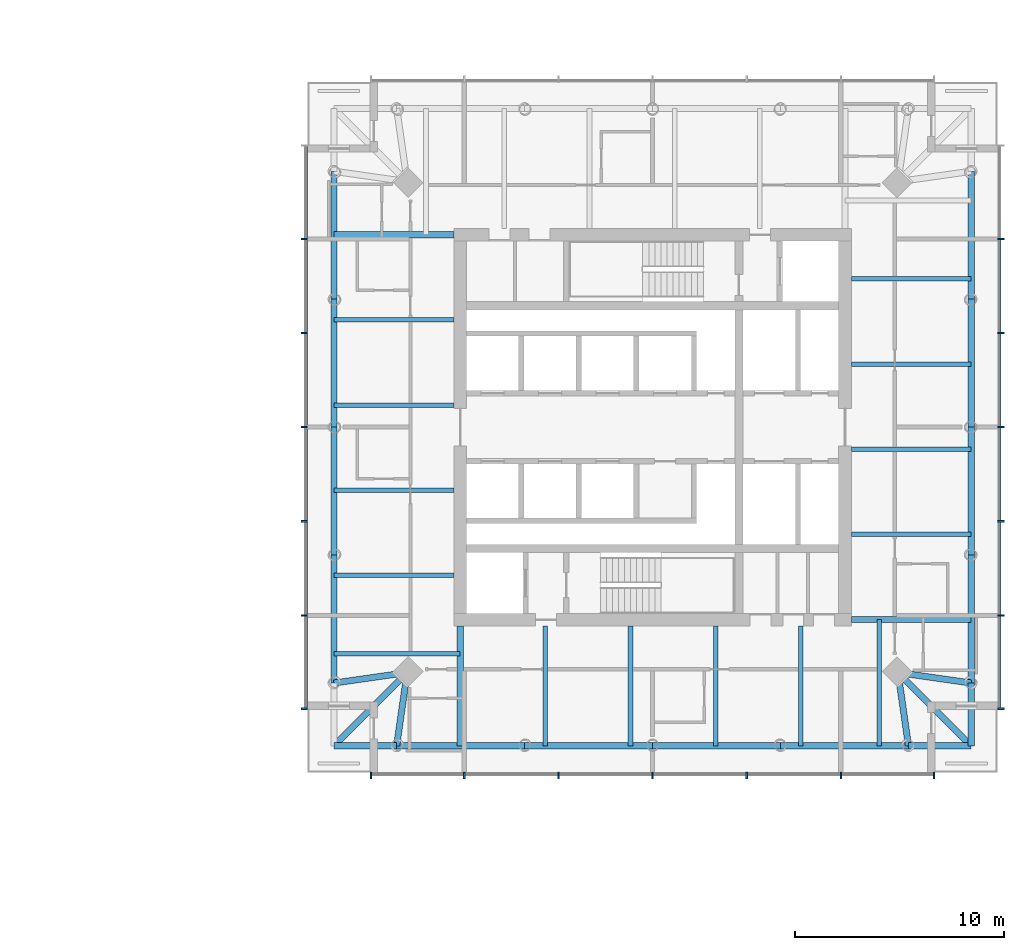
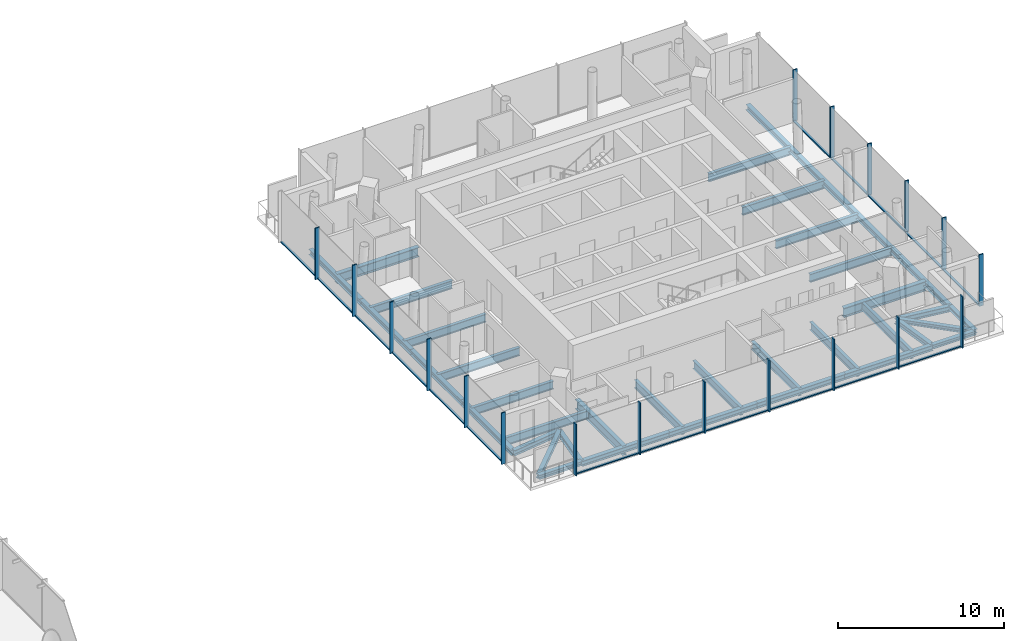
# One storey, part 5 of 20: 38 beams, 36 members, 3 elements without a shape of their own.
"""IFC4 building model written with IfcOpenShell, lengths in metres."""

import ifcopenshell
import ifcopenshell.guid

model = None  # the IFC model being written
_history = None  # IfcOwnerHistory: only IFC2X3 demands one
_inside = {}  # id of a spatial element -> (the spatial element, [elements in it])
_under = {}  # id of a project, library or spatial element -> (it, [spatial elements below it])
_declared = {}  # id of a project -> (the project, [libraries it declares])
_typed = {}  # id of a type object -> (the type object, [elements of that type])
_made_of = {}  # id of a material, layer set ... -> (it, [elements and type objects made of it])


def new_model(schema):
    """Start an empty IFC model of exactly this schema.

    Asked for "IFC4X3", IfcOpenShell would pick the latest addendum, in which some entities
    have other attributes; the version numbers below select the first issue.
    IFC2X3 requires an IfcOwnerHistory on every rooted entity: one is made here for all.
    """
    global model, _history
    if schema == "IFC4X3":
        model = ifcopenshell.file(schema_version=(4, 3, 0, 0))
    else:
        model = ifcopenshell.file(schema=schema)
    _inside.clear()
    _under.clear()
    _declared.clear()
    _typed.clear()
    _made_of.clear()
    _history = None
    if model.schema == "IFC2X3":
        org = make("IfcOrganization", Name="unknown")
        user = make(
            "IfcPersonAndOrganization",
            ThePerson=make("IfcPerson", FamilyName="unknown"),
            TheOrganization=org,
        )
        app = make(
            "IfcApplication",
            ApplicationDeveloper=org,
            Version="unknown",
            ApplicationFullName="unknown",
            ApplicationIdentifier="unknown",
        )
        _history = make(
            "IfcOwnerHistory",
            OwningUser=user,
            OwningApplication=app,
            ChangeAction="ADDED",
            CreationDate=0,
        )
    return model


def make(cls, **values):
    """One entity of the class cls with the attributes given. An attribute that is None is left unset."""
    return model.create_entity(
        cls, **{name: value for name, value in values.items() if value is not None}
    )


def rooted(cls, **values):
    """An entity with a GlobalId (a new one), such as an element, a storey or a relation."""
    return make(cls, GlobalId=ifcopenshell.guid.new(), OwnerHistory=_history, **values)


def si_unit(unit_type, name, prefix=None):
    """IfcSIUnit, for example si_unit("LENGTHUNIT", "METRE", prefix="MILLI")."""
    return make("IfcSIUnit", UnitType=unit_type, Prefix=prefix, Name=name)


def assignment(units):
    """IfcUnitAssignment: the units of a project."""
    return None if units is None else make("IfcUnitAssignment", Units=units)


def point(xyz):
    """IfcCartesianPoint."""
    return None if xyz is None else make("IfcCartesianPoint", Coordinates=xyz)


def direction(xyz):
    """IfcDirection."""
    return None if xyz is None else make("IfcDirection", DirectionRatios=xyz)


def frame(location, z_axis=None, x_axis=None):
    """IfcAxis2Placement3D, a coordinate frame: its origin and axes. An axis left out is left unset."""
    return make(
        "IfcAxis2Placement3D",
        Location=point(location),
        Axis=direction(z_axis),
        RefDirection=direction(x_axis),
    )


def frame_2d(location, x_axis=None):
    """IfcAxis2Placement2D, a coordinate frame in the plane: its origin and x axis."""
    return make(
        "IfcAxis2Placement2D", Location=point(location), RefDirection=direction(x_axis)
    )


def origin():
    """The frame at (0, 0, 0) with its axes left unset."""
    return frame((0.0, 0.0, 0.0))


def origin_2d():
    """The frame at (0, 0) in the plane with its x axis left unset."""
    return frame_2d((0.0, 0.0))


def place(relative_to, where):
    """IfcLocalPlacement: puts the frame where relative to a parent placement (None: the world)."""
    return make(
        "IfcLocalPlacement", PlacementRelTo=relative_to, RelativePlacement=where
    )


def context(
    kind, dimensions, precision=None, world=None, true_north=None, identifier=None
):
    """IfcGeometricRepresentationContext, for example the 3D "Model" context."""
    return make(
        "IfcGeometricRepresentationContext",
        ContextIdentifier=identifier,
        ContextType=kind,
        CoordinateSpaceDimension=dimensions,
        Precision=precision,
        WorldCoordinateSystem=world,
        TrueNorth=true_north,
    )


def subcontext(parent, identifier, kind, view, scale=None):
    """IfcGeometricRepresentationSubContext, for example "Body" below "Model"."""
    return make(
        "IfcGeometricRepresentationSubContext",
        ContextIdentifier=identifier,
        ContextType=kind,
        ParentContext=parent,
        TargetScale=scale,
        TargetView=view,
    )


def project(units=None, contexts=None):
    """IfcProject with its units and contexts."""
    return rooted(
        "IfcProject",
        Name="project",
        RepresentationContexts=contexts,
        UnitsInContext=assignment(units),
    )


def spatial(cls, under=None, at=None, **own):
    """A site, building, storey or space (cls), placed at a placement, below another one or the project."""
    s = rooted(cls, ObjectPlacement=at, **own)
    if under is not None:
        _under.setdefault(under.id(), (under, []))[1].append(s)
    return s


def profile(cls, at=None, kind="AREA", **sizes):
    """A parametric profile (cls). Its sizes go by their IFC names, for example OverallWidth=200.0."""
    return make(cls, ProfileType=kind, Position=at, **sizes)


def rectangle(**sizes):
    """IfcRectangleProfileDef."""
    return profile("IfcRectangleProfileDef", **sizes)


def i_section(**sizes):
    """IfcIShapeProfileDef."""
    return profile("IfcIShapeProfileDef", **sizes)


def extrude(swept, where, along, depth):
    """IfcExtrudedAreaSolid: the profile swept, set in the frame where, extruded along a direction by depth."""
    return make(
        "IfcExtrudedAreaSolid",
        SweptArea=swept,
        Position=where,
        ExtrudedDirection=direction(along),
        Depth=depth,
    )


def shape(context_of_items, identifier, shape_type, items):
    """IfcShapeRepresentation: the items that make up one representation, for example the "Body"."""
    return make(
        "IfcShapeRepresentation",
        ContextOfItems=context_of_items,
        RepresentationIdentifier=identifier,
        RepresentationType=shape_type,
        Items=items,
    )


def material(Name=None, Category=None):
    """IfcMaterial."""
    return make("IfcMaterial", Name=Name, Category=Category)


def material_profile(
    of_material, cross_section, Name=None, Category=None, Priority=None
):
    """IfcMaterialProfile: a cross section and its material."""
    return make(
        "IfcMaterialProfile",
        Name=Name,
        Material=of_material,
        Profile=cross_section,
        Priority=Priority,
        Category=Category,
    )


def profile_set(profiles, Name=None, composite=None):
    """IfcMaterialProfileSet."""
    return make(
        "IfcMaterialProfileSet",
        Name=Name,
        MaterialProfiles=profiles,
        CompositeProfile=composite,
    )


def made_of(thing, what):
    """Note that an element or type object is made of a material, layer set ...; save() writes the relation."""
    if what is not None:
        _made_of.setdefault(what.id(), (what, []))[1].append(thing)
    return thing


def type_object(cls, material=None, **own):
    """A type object (cls), such as IfcWallType, which elements share."""
    return made_of(rooted(cls, **own), material)


def element(
    cls,
    number,
    at=None,
    inside=None,
    cuts=None,
    type_object=None,
    material=None,
    context=None,
    identifier="Body",
    shape_type=None,
    held_by="IfcProductDefinitionShape",
    body=None,
    shapes=None,
    **own,
):
    """One element of the class cls, such as IfcWall. Its Tag is "e" and its number.

    at: its placement. inside: the storey or other place that contains it. cuts: it is an
    opening in that element (IfcRelVoidsElement). A single representation is given by context,
    identifier, shape_type and body (its items); several are given by shapes. held_by: the class
    of the entity that holds the representations. save() writes the other relations.
    """
    e = rooted(cls, Tag="e%d" % number, ObjectPlacement=at, **own)
    if body is not None:
        shapes = [shape(context, identifier, shape_type, body)]
    if shapes is not None:
        e.Representation = make(held_by, Representations=shapes)
    if inside is not None:
        _inside.setdefault(inside.id(), (inside, []))[1].append(e)
    if cuts is not None:
        rooted(
            "IfcRelVoidsElement", RelatingBuildingElement=cuts, RelatedOpeningElement=e
        )
    if type_object is not None:
        _typed.setdefault(type_object.id(), (type_object, []))[1].append(e)
    return made_of(e, material)


def aggregate(whole, parts):
    """IfcRelAggregates: a whole, such as a stair, and the parts it consists of."""
    return rooted("IfcRelAggregates", RelatingObject=whole, RelatedObjects=parts)


def save(model, path):
    """Write the relations noted so far, then the file.

    IfcRelAggregates (storeys below a building ...), IfcRelContainedInSpatialStructure (elements
    in a storey), IfcRelDefinesByType, IfcRelAssociatesMaterial and IfcRelDeclares: one each for
    every whole, place, type object, material and project.
    """
    for whole, parts in _under.values():
        aggregate(whole, parts)
    for where, things in _inside.values():
        rooted(
            "IfcRelContainedInSpatialStructure",
            RelatedElements=things,
            RelatingStructure=where,
        )
    for kind, things in _typed.values():
        rooted("IfcRelDefinesByType", RelatedObjects=things, RelatingType=kind)
    for what, things in _made_of.values():
        rooted("IfcRelAssociatesMaterial", RelatedObjects=things, RelatingMaterial=what)
    for by, libraries in _declared.values():
        rooted("IfcRelDeclares", RelatingContext=by, RelatedDefinitions=libraries)
    model.write(path)


model = new_model("IFC4")

# Units and contexts
model_context = context("Model", 3, precision=1e-05, world=origin(), true_north=direction((0.0, 1.0)))
body_context = subcontext(model_context, "Body", "Model", "MODEL_VIEW")
ifc_project = project(units=[si_unit("LENGTHUNIT", "METRE"), si_unit("AREAUNIT", "SQUARE_METRE"), si_unit("VOLUMEUNIT", "CUBIC_METRE"), si_unit("PLANEANGLEUNIT", "RADIAN"), si_unit("MASSUNIT", "GRAM", prefix="KILO")], contexts=[model_context])

# Site, building, storey
site_placement = place(None, origin())
site = spatial("IfcSite", under=ifc_project, at=site_placement, CompositionType="ELEMENT")
building_placement = place(site_placement, origin())
building = spatial("IfcBuilding", under=site, at=building_placement, Name="Ostroluk Exchange", CompositionType="ELEMENT")
storey_placement = place(building_placement, frame((0.0, 0.0, 108.39990234375)))
storey = spatial("IfcBuildingStorey", under=building, at=storey_placement, Name="L27", CompositionType="ELEMENT", Elevation=108.39990234375)

# Beams
ifc_material_1 = material(Name="Steel S355", Category="steel")
ifc_material_profile_1 = material_profile(ifc_material_1, i_section(OverallWidth=0.300048828125, OverallDepth=0.300048828125, WebThickness=0.010986328125, FlangeThickness=0.01904296875, FilletRadius=0.027099609375, at=origin_2d()), Name="HEB 300")
ifc_profile_set_1 = profile_set([ifc_material_profile_1], Name="Steel S355")
beam_type_1 = type_object("IfcBeamType", Name="Balcony beam HEB 300", PredefinedType="BEAM", material=ifc_profile_set_1)
beam_1_placement = place(storey_placement, frame((104.767333984375, 30.767333984375, -0.349853515625), z_axis=(-1.0, 0.0, 0.0), x_axis=(0.0, -1.0, 0.0)))
element("IfcBeam", 1, at=beam_1_placement, inside=storey, type_object=beam_type_1, Name="T2 west balcony beam b", PredefinedType="BEAM", context=body_context, shape_type="SweptSolid", body=[
    extrude(i_section(OverallWidth=0.300048828125, OverallDepth=0.300048828125, WebThickness=0.010986328125, FlangeThickness=0.01904296875, FilletRadius=0.027099609375, at=origin_2d()), origin(), (0.0, 0.0, 1.0), 3.0),
])
beam_2_placement = place(storey_placement, frame((105.267333984375, 34.267333984375, -0.349853515625), z_axis=(-0.707106781187, -0.707106781187, 0.0), x_axis=(0.707106781187, -0.707106781187, 0.0)))
element("IfcBeam", 2, at=beam_2_placement, inside=storey, type_object=beam_type_1, Name="T2 west balcony beam c", PredefinedType="BEAM", context=body_context, shape_type="SweptSolid", body=[
    extrude(i_section(OverallWidth=0.300048828125, OverallDepth=0.300048828125, WebThickness=0.010986328125, FlangeThickness=0.01904296875, FilletRadius=0.027099609375, at=origin_2d()), origin(), (0.0, 0.0, 1.0), 4.94970703125),
])
for number, where, z_axis, x_axis, name in (
    (3, (129.232666015625, 30.767333984375, -0.349853515625), (1.0, 0.0, 0.0), (0.0, 1.0, 0.0), "T2 south balcony beam a"),
    (4, (132.232666015625, 33.767333984375, -0.349853515625), (0.0, -1.0, 0.0), (1.0, 0.0, 0.0), "T2 south balcony beam b"),
):
    element("IfcBeam", number, at=place(storey_placement, frame(where, z_axis=z_axis, x_axis=x_axis)), inside=storey, type_object=beam_type_1, Name=name, PredefinedType="BEAM", context=body_context, shape_type="SweptSolid", body=[
        extrude(i_section(OverallWidth=0.300048828125, OverallDepth=0.300048828125, WebThickness=0.010986328125, FlangeThickness=0.01904296875, FilletRadius=0.027099609375, at=origin_2d()), origin(), (0.0, 0.0, 1.0), 3.0),
    ])
beam_3_placement = place(storey_placement, frame((128.732666015625, 34.267333984375, -0.349853515625), z_axis=(0.707106781187, -0.707106781187, 0.0), x_axis=(0.707106781187, 0.707106781187, 0.0)))
element("IfcBeam", 5, at=beam_3_placement, inside=storey, type_object=beam_type_1, Name="T2 south balcony beam c", PredefinedType="BEAM", context=body_context, shape_type="SweptSolid", body=[
    extrude(i_section(OverallWidth=0.300048828125, OverallDepth=0.300048828125, WebThickness=0.010986328125, FlangeThickness=0.01904296875, FilletRadius=0.027099609375, at=origin_2d()), origin(), (0.0, 0.0, 1.0), 4.94970703125),
])
ifc_material_2 = material(Name="Steel S355", Category="steel")
ifc_material_profile_2 = material_profile(ifc_material_2, i_section(OverallWidth=0.300048828125, OverallDepth=0.39990234375, WebThickness=0.013427734375, FlangeThickness=0.02392578125, FilletRadius=0.027099609375, at=origin_2d()), Name="HEB 400")
ifc_profile_set_2 = profile_set([ifc_material_profile_2], Name="Steel S355")
beam_type_2 = type_object("IfcBeamType", Name="Corner edge beam HEB 400", PredefinedType="SPANDREL", material=ifc_profile_set_2)
for number, where, z_axis, x_axis, name in (
    (6, (105.267333984375, 34.267333984375, -0.39990234375), (-0.989949493661, -0.141421356237, 0.0), (0.141421356237, -0.989949493661, 0.0), "T2 west corner edge beam a"),
    (7, (105.267333984375, 34.267333984375, -0.39990234375), (-0.141421356237, -0.989949493661, 0.0), (0.989949493661, -0.141421356237, 0.0), "T2 west corner edge beam b"),
    (8, (128.732666015625, 34.267333984375, -0.39990234375), (0.141421356237, -0.989949493661, 0.0), (0.989949493661, 0.141421356237, 0.0), "T2 south corner edge beam a"),
    (9, (128.732666015625, 34.267333984375, -0.39990234375), (0.989949493661, -0.141421356237, 0.0), (0.141421356237, 0.989949493661, 0.0), "T2 south corner edge beam b"),
):
    element("IfcBeam", number, at=place(storey_placement, frame(where, z_axis=z_axis, x_axis=x_axis)), inside=storey, type_object=beam_type_2, Name=name, PredefinedType="SPANDREL", context=body_context, shape_type="SweptSolid", body=[
        extrude(i_section(OverallWidth=0.300048828125, OverallDepth=0.39990234375, WebThickness=0.013427734375, FlangeThickness=0.02392578125, FilletRadius=0.027099609375, at=origin_2d()), origin(), (0.0, 0.0, 1.0), 3.53564453125),
    ])
ifc_material_3 = material(Name="Steel S355", Category="steel")
ifc_material_profile_3 = material_profile(ifc_material_3, i_section(OverallWidth=0.219970703125, OverallDepth=0.60009765625, WebThickness=0.011962890625, FlangeThickness=0.01904296875, FilletRadius=0.02392578125, at=origin_2d()), Name="IPE 600")
ifc_profile_set_3 = profile_set([ifc_material_profile_3], Name="Steel S355")
beam_type_3 = type_object("IfcBeamType", Name="Floor beam IPE 600", PredefinedType="BEAM", material=ifc_profile_set_3)
for number, where, z_axis, x_axis, name in (
    (10, (126.5, 40.8720703125, -0.5), (1.0, 0.0, 0.0), (0.0, 1.0, 0.0), "T2 east floor beam 1"),
    (11, (126.5, 44.9443359375, -0.5), (1.0, 0.0, 0.0), (0.0, 1.0, 0.0), "T2 east floor beam 2"),
    (12, (126.5, 49.016357421875, -0.5), (1.0, 0.0, 0.0), (0.0, 1.0, 0.0), "T2 east floor beam 3"),
    (13, (126.5, 53.088623046875, -0.5), (1.0, 0.0, 0.0), (0.0, 1.0, 0.0), "T2 east floor beam 4"),
    (14, (107.5, 51.1279296875, -0.5), (-1.0, 0.0, 0.0), (0.0, -1.0, 0.0), "T2 west floor beam 1"),
    (15, (107.5, 47.0556640625, -0.5), (-1.0, 0.0, 0.0), (0.0, -1.0, 0.0), "T2 west floor beam 2"),
    (16, (107.5, 42.983642578125, -0.5), (-1.0, 0.0, 0.0), (0.0, -1.0, 0.0), "T2 west floor beam 3"),
    (17, (107.5, 38.911376953125, -0.5), (-1.0, 0.0, 0.0), (0.0, -1.0, 0.0), "T2 west floor beam 4"),
):
    element("IfcBeam", number, at=place(storey_placement, frame(where, z_axis=z_axis, x_axis=x_axis)), inside=storey, type_object=beam_type_3, Name=name, PredefinedType="BEAM", context=body_context, shape_type="SweptSolid", body=[
        extrude(i_section(OverallWidth=0.219970703125, OverallDepth=0.60009765625, WebThickness=0.011962890625, FlangeThickness=0.01904296875, FilletRadius=0.02392578125, at=origin_2d()), origin(), (0.0, 0.0, 1.0), 5.732666015625),
    ])
beam_4_placement = place(storey_placement, frame((107.800048828125, 35.167236328125, -0.5), z_axis=(-1.0, 0.0, 0.0), x_axis=(0.0, -1.0, 0.0)))
element("IfcBeam", 18, at=beam_4_placement, inside=storey, type_object=beam_type_3, Name="T2 west floor beam 5", PredefinedType="BEAM", context=body_context, shape_type="SweptSolid", body=[
    extrude(i_section(OverallWidth=0.219970703125, OverallDepth=0.60009765625, WebThickness=0.011962890625, FlangeThickness=0.01904296875, FilletRadius=0.02392578125, at=origin_2d()), origin(), (0.0, 0.0, 1.0), 6.03271484375),
])
for number, where, z_axis, x_axis, name in (
    (19, (111.8720703125, 36.5, -0.5), (0.0, -1.0, 0.0), (1.0, 0.0, 0.0), "T2 south floor beam 1"),
    (20, (115.9443359375, 36.5, -0.5), (0.0, -1.0, 0.0), (1.0, 0.0, 0.0), "T2 south floor beam 2"),
    (21, (120.016357421875, 36.5, -0.5), (0.0, -1.0, 0.0), (1.0, 0.0, 0.0), "T2 south floor beam 3"),
    (22, (124.088623046875, 36.5, -0.5), (0.0, -1.0, 0.0), (1.0, 0.0, 0.0), "T2 south floor beam 4"),
):
    element("IfcBeam", number, at=place(storey_placement, frame(where, z_axis=z_axis, x_axis=x_axis)), inside=storey, type_object=beam_type_3, Name=name, PredefinedType="BEAM", context=body_context, shape_type="SweptSolid", body=[
        extrude(i_section(OverallWidth=0.219970703125, OverallDepth=0.60009765625, WebThickness=0.011962890625, FlangeThickness=0.01904296875, FilletRadius=0.02392578125, at=origin_2d()), origin(), (0.0, 0.0, 1.0), 5.732666015625),
    ])
beam_5_placement = place(storey_placement, frame((127.832763671875, 36.800048828125, -0.5), z_axis=(0.0, -1.0, 0.0), x_axis=(1.0, 0.0, 0.0)))
element("IfcBeam", 23, at=beam_5_placement, inside=storey, type_object=beam_type_3, Name="T2 south floor beam 5", PredefinedType="BEAM", context=body_context, shape_type="SweptSolid", body=[
    extrude(i_section(OverallWidth=0.219970703125, OverallDepth=0.60009765625, WebThickness=0.011962890625, FlangeThickness=0.01904296875, FilletRadius=0.02392578125, at=origin_2d()), origin(), (0.0, 0.0, 1.0), 6.03271484375),
])
ifc_material_4 = material(Name="Steel S355", Category="steel")
ifc_material_profile_4 = material_profile(ifc_material_4, i_section(OverallWidth=0.300048828125, OverallDepth=0.699951171875, WebThickness=0.01708984375, FlangeThickness=0.031982421875, FilletRadius=0.027099609375, at=origin_2d()), Name="HEB 700")
ifc_profile_set_4 = profile_set([ifc_material_profile_4], Name="Steel S355")
beam_type_4 = type_object("IfcBeamType", Name="Girder HEB 700", PredefinedType="BEAM", material=ifc_profile_set_4)
for number, where, z_axis, x_axis, name in (
    (24, (107.5, 55.199951171875, -0.5498046875), (-1.0, 0.0, 0.0), (0.0, -1.0, 0.0), "T2 north girder"),
    (25, (107.800048828125, 36.5, -0.5498046875), (0.0, -1.0, 0.0), (1.0, 0.0, 0.0), "T2 west girder"),
    (26, (126.5, 36.800048828125, -0.5498046875), (1.0, 0.0, 0.0), (0.0, 1.0, 0.0), "T2 south girder"),
):
    element("IfcBeam", number, at=place(storey_placement, frame(where, z_axis=z_axis, x_axis=x_axis)), inside=storey, type_object=beam_type_4, Name=name, PredefinedType="BEAM", context=body_context, shape_type="SweptSolid", body=[
        extrude(i_section(OverallWidth=0.300048828125, OverallDepth=0.699951171875, WebThickness=0.01708984375, FlangeThickness=0.031982421875, FilletRadius=0.027099609375, at=origin_2d()), origin(), (0.0, 0.0, 1.0), 5.732666015625),
    ])
ifc_material_5 = material(Name="Steel S355", Category="steel")
ifc_material_profile_5 = material_profile(ifc_material_5, i_section(OverallWidth=0.300048828125, OverallDepth=0.39990234375, WebThickness=0.013427734375, FlangeThickness=0.02392578125, FilletRadius=0.027099609375, at=origin_2d()), Name="HEB 400")
ifc_profile_set_5 = profile_set([ifc_material_profile_5], Name="Steel S355")
beam_type_5 = type_object("IfcBeamType", Name="Moment-connected edge beam HEB 400", PredefinedType="SPANDREL", material=ifc_profile_set_5)
beam_6_placement = place(storey_placement, frame((132.232666015625, 33.767333984375, -0.39990234375), z_axis=(0.0, 1.0, 0.0), x_axis=(-1.0, 0.0, 0.0)))
element("IfcBeam", 27, at=beam_6_placement, inside=storey, type_object=beam_type_5, Name="T2 east edge beam 1", PredefinedType="SPANDREL", context=body_context, shape_type="SweptSolid", body=[
    extrude(i_section(OverallWidth=0.300048828125, OverallDepth=0.39990234375, WebThickness=0.013427734375, FlangeThickness=0.02392578125, FilletRadius=0.027099609375, at=origin_2d()), origin(), (0.0, 0.0, 1.0), 6.1162109375),
])
for number, where, z_axis, x_axis, name in (
    (28, (132.232666015625, 39.883544921875, -0.39990234375), (0.0, 1.0, 0.0), (-1.0, 0.0, 0.0), "T2 east edge beam 2"),
    (29, (132.232666015625, 46.0, -0.39990234375), (0.0, 1.0, 0.0), (-1.0, 0.0, 0.0), "T2 east edge beam 3"),
):
    element("IfcBeam", number, at=place(storey_placement, frame(where, z_axis=z_axis, x_axis=x_axis)), inside=storey, type_object=beam_type_5, Name=name, PredefinedType="SPANDREL", context=body_context, shape_type="SweptSolid", body=[
        extrude(i_section(OverallWidth=0.300048828125, OverallDepth=0.39990234375, WebThickness=0.013427734375, FlangeThickness=0.02392578125, FilletRadius=0.027099609375, at=origin_2d()), origin(), (0.0, 0.0, 1.0), 6.116455078125),
    ])
for number, where, z_axis, x_axis, name in (
    (30, (132.232666015625, 52.116455078125, -0.39990234375), (0.0, 1.0, 0.0), (-1.0, 0.0, 0.0), "T2 east edge beam 4"),
    (31, (101.767333984375, 58.232666015625, -0.39990234375), (0.0, -1.0, 0.0), (1.0, 0.0, 0.0), "T2 west edge beam 1"),
):
    element("IfcBeam", number, at=place(storey_placement, frame(where, z_axis=z_axis, x_axis=x_axis)), inside=storey, type_object=beam_type_5, Name=name, PredefinedType="SPANDREL", context=body_context, shape_type="SweptSolid", body=[
        extrude(i_section(OverallWidth=0.300048828125, OverallDepth=0.39990234375, WebThickness=0.013427734375, FlangeThickness=0.02392578125, FilletRadius=0.027099609375, at=origin_2d()), origin(), (0.0, 0.0, 1.0), 6.1162109375),
    ])
for number, where, z_axis, x_axis, name in (
    (32, (101.767333984375, 52.116455078125, -0.39990234375), (0.0, -1.0, 0.0), (1.0, 0.0, 0.0), "T2 west edge beam 2"),
    (33, (101.767333984375, 46.0, -0.39990234375), (0.0, -1.0, 0.0), (1.0, 0.0, 0.0), "T2 west edge beam 3"),
):
    element("IfcBeam", number, at=place(storey_placement, frame(where, z_axis=z_axis, x_axis=x_axis)), inside=storey, type_object=beam_type_5, Name=name, PredefinedType="SPANDREL", context=body_context, shape_type="SweptSolid", body=[
        extrude(i_section(OverallWidth=0.300048828125, OverallDepth=0.39990234375, WebThickness=0.013427734375, FlangeThickness=0.02392578125, FilletRadius=0.027099609375, at=origin_2d()), origin(), (0.0, 0.0, 1.0), 6.116455078125),
    ])
for number, where, z_axis, x_axis, name in (
    (34, (101.767333984375, 39.883544921875, -0.39990234375), (0.0, -1.0, 0.0), (1.0, 0.0, 0.0), "T2 west edge beam 4"),
    (35, (104.767333984375, 30.767333984375, -0.39990234375), (1.0, 0.0, 0.0), (0.0, 1.0, 0.0), "T2 south edge beam 1"),
):
    element("IfcBeam", number, at=place(storey_placement, frame(where, z_axis=z_axis, x_axis=x_axis)), inside=storey, type_object=beam_type_5, Name=name, PredefinedType="SPANDREL", context=body_context, shape_type="SweptSolid", body=[
        extrude(i_section(OverallWidth=0.300048828125, OverallDepth=0.39990234375, WebThickness=0.013427734375, FlangeThickness=0.02392578125, FilletRadius=0.027099609375, at=origin_2d()), origin(), (0.0, 0.0, 1.0), 6.1162109375),
    ])
for number, where, z_axis, x_axis, name in (
    (36, (110.883544921875, 30.767333984375, -0.39990234375), (1.0, 0.0, 0.0), (0.0, 1.0, 0.0), "T2 south edge beam 2"),
    (37, (117.0, 30.767333984375, -0.39990234375), (1.0, 0.0, 0.0), (0.0, 1.0, 0.0), "T2 south edge beam 3"),
):
    element("IfcBeam", number, at=place(storey_placement, frame(where, z_axis=z_axis, x_axis=x_axis)), inside=storey, type_object=beam_type_5, Name=name, PredefinedType="SPANDREL", context=body_context, shape_type="SweptSolid", body=[
        extrude(i_section(OverallWidth=0.300048828125, OverallDepth=0.39990234375, WebThickness=0.013427734375, FlangeThickness=0.02392578125, FilletRadius=0.027099609375, at=origin_2d()), origin(), (0.0, 0.0, 1.0), 6.116455078125),
    ])
beam_7_placement = place(storey_placement, frame((123.116455078125, 30.767333984375, -0.39990234375), z_axis=(1.0, 0.0, 0.0), x_axis=(0.0, 1.0, 0.0)))
element("IfcBeam", 38, at=beam_7_placement, inside=storey, type_object=beam_type_5, Name="T2 south edge beam 4", PredefinedType="SPANDREL", context=body_context, shape_type="SweptSolid", body=[
    extrude(i_section(OverallWidth=0.300048828125, OverallDepth=0.39990234375, WebThickness=0.013427734375, FlangeThickness=0.02392578125, FilletRadius=0.027099609375, at=origin_2d()), origin(), (0.0, 0.0, 1.0), 6.1162109375),
])

# Curtain wall, members
ifc_material_6 = material(Name="Laminated clear glass", Category="glass")
curtain_wall_type = type_object("IfcCurtainWallType", Name="Hotel guest floor facade", PredefinedType="USERDEFINED", material=ifc_material_6)
curtain_wall_1_placement = place(storey_placement, origin())
curtain_wall_1 = element("IfcCurtainWall", 39, at=curtain_wall_1_placement, inside=storey, type_object=curtain_wall_type, Name="Hotel tower south facade L27", ObjectType="UNITISED CURTAIN WALL", PredefinedType="USERDEFINED")
ifc_material_7 = material(Name="Aluminium mullion", Category="aluminium")
ifc_material_profile_6 = material_profile(ifc_material_7, rectangle(XDim=0.14990234375, YDim=0.080078125, at=origin_2d()), Name="Sill transom 80 x 150")
ifc_profile_set_6 = profile_set([ifc_material_profile_6], Name="Aluminium mullion")
member_type_1 = type_object("IfcMemberType", Name="Sill transom 80 x 150", PredefinedType="USERDEFINED", material=ifc_profile_set_6)
member_1_placement = place(storey_placement, frame((103.580078125, 29.425048828125, 0.0400390625), z_axis=(1.0, 0.0, 0.0), x_axis=(0.0, 1.0, 0.0)))
member_1 = element("IfcMember", 40, at=member_1_placement, type_object=member_type_1, Name="CW-H1 transom 1.1", ObjectType="TRANSOM", PredefinedType="USERDEFINED", context=body_context, shape_type="SweptSolid", body=[
    extrude(rectangle(XDim=0.14990234375, YDim=0.080078125, at=origin_2d()), origin(), (0.0, 0.0, 1.0), 4.3798828125),
])
member_2_placement = place(storey_placement, frame((108.0400390625, 29.425048828125, 0.0400390625), z_axis=(1.0, 0.0, 0.0), x_axis=(0.0, 1.0, 0.0)))
member_2 = element("IfcMember", 41, at=member_2_placement, type_object=member_type_1, Name="CW-H1 transom 2.1", ObjectType="TRANSOM", PredefinedType="USERDEFINED", context=body_context, shape_type="SweptSolid", body=[
    extrude(rectangle(XDim=0.14990234375, YDim=0.080078125, at=origin_2d()), origin(), (0.0, 0.0, 1.0), 4.419921875),
])
member_3_placement = place(storey_placement, frame((112.5400390625, 29.425048828125, 0.0400390625), z_axis=(1.0, 0.0, 0.0), x_axis=(0.0, 1.0, 0.0)))
member_3 = element("IfcMember", 42, at=member_3_placement, type_object=member_type_1, Name="CW-H1 transom 3.1", ObjectType="TRANSOM", PredefinedType="USERDEFINED", context=body_context, shape_type="SweptSolid", body=[
    extrude(rectangle(XDim=0.14990234375, YDim=0.080078125, at=origin_2d()), origin(), (0.0, 0.0, 1.0), 4.419921875),
])
member_4_placement = place(storey_placement, frame((117.0400390625, 29.425048828125, 0.0400390625), z_axis=(1.0, 0.0, 0.0), x_axis=(0.0, 1.0, 0.0)))
member_4 = element("IfcMember", 43, at=member_4_placement, type_object=member_type_1, Name="CW-H1 transom 4.1", ObjectType="TRANSOM", PredefinedType="USERDEFINED", context=body_context, shape_type="SweptSolid", body=[
    extrude(rectangle(XDim=0.14990234375, YDim=0.080078125, at=origin_2d()), origin(), (0.0, 0.0, 1.0), 4.419921875),
])
member_5_placement = place(storey_placement, frame((121.5400390625, 29.425048828125, 0.0400390625), z_axis=(1.0, 0.0, 0.0), x_axis=(0.0, 1.0, 0.0)))
member_5 = element("IfcMember", 44, at=member_5_placement, type_object=member_type_1, Name="CW-H1 transom 5.1", ObjectType="TRANSOM", PredefinedType="USERDEFINED", context=body_context, shape_type="SweptSolid", body=[
    extrude(rectangle(XDim=0.14990234375, YDim=0.080078125, at=origin_2d()), origin(), (0.0, 0.0, 1.0), 4.419921875),
])
member_6_placement = place(storey_placement, frame((126.0400390625, 29.425048828125, 0.0400390625), z_axis=(1.0, 0.0, 0.0), x_axis=(0.0, 1.0, 0.0)))
member_6 = element("IfcMember", 45, at=member_6_placement, type_object=member_type_1, Name="CW-H1 transom 6.1", ObjectType="TRANSOM", PredefinedType="USERDEFINED", context=body_context, shape_type="SweptSolid", body=[
    extrude(rectangle(XDim=0.14990234375, YDim=0.080078125, at=origin_2d()), origin(), (0.0, 0.0, 1.0), 4.3798828125),
])

curtain_wall_2_placement = place(storey_placement, origin())
curtain_wall_2 = element("IfcCurtainWall", 46, at=curtain_wall_2_placement, inside=storey, type_object=curtain_wall_type, Name="Hotel tower east facade L27", ObjectType="UNITISED CURTAIN WALL", PredefinedType="USERDEFINED")
member_7_placement = place(storey_placement, frame((133.574951171875, 32.580078125, 0.0400390625), z_axis=(0.0, 1.0, 0.0), x_axis=(-1.0, 0.0, 0.0)))
member_7 = element("IfcMember", 47, at=member_7_placement, type_object=member_type_1, Name="CW-H1 transom 1.1", ObjectType="TRANSOM", PredefinedType="USERDEFINED", context=body_context, shape_type="SweptSolid", body=[
    extrude(rectangle(XDim=0.14990234375, YDim=0.080078125, at=origin_2d()), origin(), (0.0, 0.0, 1.0), 4.3798828125),
])
member_8_placement = place(storey_placement, frame((133.574951171875, 37.0400390625, 0.0400390625), z_axis=(0.0, 1.0, 0.0), x_axis=(-1.0, 0.0, 0.0)))
member_8 = element("IfcMember", 48, at=member_8_placement, type_object=member_type_1, Name="CW-H1 transom 2.1", ObjectType="TRANSOM", PredefinedType="USERDEFINED", context=body_context, shape_type="SweptSolid", body=[
    extrude(rectangle(XDim=0.14990234375, YDim=0.080078125, at=origin_2d()), origin(), (0.0, 0.0, 1.0), 4.419921875),
])
member_9_placement = place(storey_placement, frame((133.574951171875, 41.5400390625, 0.0400390625), z_axis=(0.0, 1.0, 0.0), x_axis=(-1.0, 0.0, 0.0)))
member_9 = element("IfcMember", 49, at=member_9_placement, type_object=member_type_1, Name="CW-H1 transom 3.1", ObjectType="TRANSOM", PredefinedType="USERDEFINED", context=body_context, shape_type="SweptSolid", body=[
    extrude(rectangle(XDim=0.14990234375, YDim=0.080078125, at=origin_2d()), origin(), (0.0, 0.0, 1.0), 4.419921875),
])
member_10_placement = place(storey_placement, frame((133.574951171875, 46.0400390625, 0.0400390625), z_axis=(0.0, 1.0, 0.0), x_axis=(-1.0, 0.0, 0.0)))
member_10 = element("IfcMember", 50, at=member_10_placement, type_object=member_type_1, Name="CW-H1 transom 4.1", ObjectType="TRANSOM", PredefinedType="USERDEFINED", context=body_context, shape_type="SweptSolid", body=[
    extrude(rectangle(XDim=0.14990234375, YDim=0.080078125, at=origin_2d()), origin(), (0.0, 0.0, 1.0), 4.419921875),
])
member_11_placement = place(storey_placement, frame((133.574951171875, 50.5400390625, 0.0400390625), z_axis=(0.0, 1.0, 0.0), x_axis=(-1.0, 0.0, 0.0)))
member_11 = element("IfcMember", 51, at=member_11_placement, type_object=member_type_1, Name="CW-H1 transom 5.1", ObjectType="TRANSOM", PredefinedType="USERDEFINED", context=body_context, shape_type="SweptSolid", body=[
    extrude(rectangle(XDim=0.14990234375, YDim=0.080078125, at=origin_2d()), origin(), (0.0, 0.0, 1.0), 4.419921875),
])

curtain_wall_3_placement = place(storey_placement, origin())
curtain_wall_3 = element("IfcCurtainWall", 52, at=curtain_wall_3_placement, inside=storey, type_object=curtain_wall_type, Name="Hotel tower west facade L27", ObjectType="UNITISED CURTAIN WALL", PredefinedType="USERDEFINED")
member_12_placement = place(storey_placement, frame((100.425048828125, 59.419921875, 0.0400390625), z_axis=(0.0, -1.0, 0.0), x_axis=(1.0, 0.0, 0.0)))
member_12 = element("IfcMember", 53, at=member_12_placement, type_object=member_type_1, Name="CW-H1 transom 1.1", ObjectType="TRANSOM", PredefinedType="USERDEFINED", context=body_context, shape_type="SweptSolid", body=[
    extrude(rectangle(XDim=0.14990234375, YDim=0.080078125, at=origin_2d()), origin(), (0.0, 0.0, 1.0), 4.3798828125),
])
member_13_placement = place(storey_placement, frame((100.425048828125, 54.9599609375, 0.0400390625), z_axis=(0.0, -1.0, 0.0), x_axis=(1.0, 0.0, 0.0)))
member_13 = element("IfcMember", 54, at=member_13_placement, type_object=member_type_1, Name="CW-H1 transom 2.1", ObjectType="TRANSOM", PredefinedType="USERDEFINED", context=body_context, shape_type="SweptSolid", body=[
    extrude(rectangle(XDim=0.14990234375, YDim=0.080078125, at=origin_2d()), origin(), (0.0, 0.0, 1.0), 4.419921875),
])
member_14_placement = place(storey_placement, frame((100.425048828125, 50.4599609375, 0.0400390625), z_axis=(0.0, -1.0, 0.0), x_axis=(1.0, 0.0, 0.0)))
member_14 = element("IfcMember", 55, at=member_14_placement, type_object=member_type_1, Name="CW-H1 transom 3.1", ObjectType="TRANSOM", PredefinedType="USERDEFINED", context=body_context, shape_type="SweptSolid", body=[
    extrude(rectangle(XDim=0.14990234375, YDim=0.080078125, at=origin_2d()), origin(), (0.0, 0.0, 1.0), 4.419921875),
])
member_15_placement = place(storey_placement, frame((100.425048828125, 45.9599609375, 0.0400390625), z_axis=(0.0, -1.0, 0.0), x_axis=(1.0, 0.0, 0.0)))
member_15 = element("IfcMember", 56, at=member_15_placement, type_object=member_type_1, Name="CW-H1 transom 4.1", ObjectType="TRANSOM", PredefinedType="USERDEFINED", context=body_context, shape_type="SweptSolid", body=[
    extrude(rectangle(XDim=0.14990234375, YDim=0.080078125, at=origin_2d()), origin(), (0.0, 0.0, 1.0), 4.419921875),
])
member_16_placement = place(storey_placement, frame((100.425048828125, 41.4599609375, 0.0400390625), z_axis=(0.0, -1.0, 0.0), x_axis=(1.0, 0.0, 0.0)))
member_16 = element("IfcMember", 57, at=member_16_placement, type_object=member_type_1, Name="CW-H1 transom 5.1", ObjectType="TRANSOM", PredefinedType="USERDEFINED", context=body_context, shape_type="SweptSolid", body=[
    extrude(rectangle(XDim=0.14990234375, YDim=0.080078125, at=origin_2d()), origin(), (0.0, 0.0, 1.0), 4.419921875),
])
member_17_placement = place(storey_placement, frame((100.425048828125, 36.9599609375, 0.0400390625), z_axis=(0.0, -1.0, 0.0), x_axis=(1.0, 0.0, 0.0)))
member_17 = element("IfcMember", 58, at=member_17_placement, type_object=member_type_1, Name="CW-H1 transom 6.1", ObjectType="TRANSOM", PredefinedType="USERDEFINED", context=body_context, shape_type="SweptSolid", body=[
    extrude(rectangle(XDim=0.14990234375, YDim=0.080078125, at=origin_2d()), origin(), (0.0, 0.0, 1.0), 4.3798828125),
])

# Member
ifc_material_8 = material(Name="Aluminium mullion with limestone facing", Category="masonry")
ifc_material_profile_7 = material_profile(ifc_material_8, rectangle(XDim=0.300048828125, YDim=0.080078125, at=origin_2d()), Name="Tracery mullion 80 x 300")
ifc_profile_set_7 = profile_set([ifc_material_profile_7], Name="Aluminium mullion with limestone facing")
member_type_2 = type_object("IfcMemberType", Name="Tracery mullion 80 x 300", PredefinedType="MULLION", material=ifc_profile_set_7)
member_18_placement = place(storey_placement, frame((103.5400390625, 29.35009765625, 0.0), z_axis=(0.0, 0.0, 1.0), x_axis=(0.0, 1.0, 0.0)))
member_18 = element("IfcMember", 59, at=member_18_placement, type_object=member_type_2, Name="CW-H1 mullion 1", PredefinedType="MULLION", context=body_context, shape_type="SweptSolid", body=[
    extrude(rectangle(XDim=0.300048828125, YDim=0.080078125, at=origin_2d()), origin(), (0.0, 0.0, 1.0), 3.800048828125),
])

member_19_placement = place(storey_placement, frame((108.0, 29.35009765625, 0.0), z_axis=(0.0, 0.0, 1.0), x_axis=(0.0, 1.0, 0.0)))
member_19 = element("IfcMember", 60, at=member_19_placement, type_object=member_type_2, Name="CW-H1 mullion 2", PredefinedType="MULLION", context=body_context, shape_type="SweptSolid", body=[
    extrude(rectangle(XDim=0.300048828125, YDim=0.080078125, at=origin_2d()), origin(), (0.0, 0.0, 1.0), 3.800048828125),
])

member_20_placement = place(storey_placement, frame((112.5, 29.35009765625, 0.0), z_axis=(0.0, 0.0, 1.0), x_axis=(0.0, 1.0, 0.0)))
member_20 = element("IfcMember", 61, at=member_20_placement, type_object=member_type_2, Name="CW-H1 mullion 3", PredefinedType="MULLION", context=body_context, shape_type="SweptSolid", body=[
    extrude(rectangle(XDim=0.300048828125, YDim=0.080078125, at=origin_2d()), origin(), (0.0, 0.0, 1.0), 3.800048828125),
])

member_21_placement = place(storey_placement, frame((117.0, 29.35009765625, 0.0), z_axis=(0.0, 0.0, 1.0), x_axis=(0.0, 1.0, 0.0)))
member_21 = element("IfcMember", 62, at=member_21_placement, type_object=member_type_2, Name="CW-H1 mullion 4", PredefinedType="MULLION", context=body_context, shape_type="SweptSolid", body=[
    extrude(rectangle(XDim=0.300048828125, YDim=0.080078125, at=origin_2d()), origin(), (0.0, 0.0, 1.0), 3.800048828125),
])

member_22_placement = place(storey_placement, frame((121.5, 29.35009765625, 0.0), z_axis=(0.0, 0.0, 1.0), x_axis=(0.0, 1.0, 0.0)))
member_22 = element("IfcMember", 63, at=member_22_placement, type_object=member_type_2, Name="CW-H1 mullion 5", PredefinedType="MULLION", context=body_context, shape_type="SweptSolid", body=[
    extrude(rectangle(XDim=0.300048828125, YDim=0.080078125, at=origin_2d()), origin(), (0.0, 0.0, 1.0), 3.800048828125),
])

member_23_placement = place(storey_placement, frame((126.0, 29.35009765625, 0.0), z_axis=(0.0, 0.0, 1.0), x_axis=(0.0, 1.0, 0.0)))
member_23 = element("IfcMember", 64, at=member_23_placement, type_object=member_type_2, Name="CW-H1 mullion 6", PredefinedType="MULLION", context=body_context, shape_type="SweptSolid", body=[
    extrude(rectangle(XDim=0.300048828125, YDim=0.080078125, at=origin_2d()), origin(), (0.0, 0.0, 1.0), 3.800048828125),
])

member_24_placement = place(storey_placement, frame((130.4599609375, 29.35009765625, 0.0), z_axis=(0.0, 0.0, 1.0), x_axis=(0.0, 1.0, 0.0)))
member_24 = element("IfcMember", 65, at=member_24_placement, type_object=member_type_2, Name="CW-H1 mullion 7", PredefinedType="MULLION", context=body_context, shape_type="SweptSolid", body=[
    extrude(rectangle(XDim=0.300048828125, YDim=0.080078125, at=origin_2d()), origin(), (0.0, 0.0, 1.0), 3.800048828125),
])

aggregate(curtain_wall_1, [member_18, member_19, member_20, member_21, member_22, member_23, member_24, member_1, member_2, member_3, member_4, member_5, member_6])

member_25_placement = place(storey_placement, frame((133.64990234375, 32.5400390625, 0.0), z_axis=(0.0, 0.0, 1.0), x_axis=(-1.0, 0.0, 0.0)))
member_25 = element("IfcMember", 66, at=member_25_placement, type_object=member_type_2, Name="CW-H1 mullion 1", PredefinedType="MULLION", context=body_context, shape_type="SweptSolid", body=[
    extrude(rectangle(XDim=0.300048828125, YDim=0.080078125, at=origin_2d()), origin(), (0.0, 0.0, 1.0), 3.800048828125),
])

member_26_placement = place(storey_placement, frame((133.64990234375, 37.0, 0.0), z_axis=(0.0, 0.0, 1.0), x_axis=(-1.0, 0.0, 0.0)))
member_26 = element("IfcMember", 67, at=member_26_placement, type_object=member_type_2, Name="CW-H1 mullion 2", PredefinedType="MULLION", context=body_context, shape_type="SweptSolid", body=[
    extrude(rectangle(XDim=0.300048828125, YDim=0.080078125, at=origin_2d()), origin(), (0.0, 0.0, 1.0), 3.800048828125),
])

member_27_placement = place(storey_placement, frame((133.64990234375, 41.5, 0.0), z_axis=(0.0, 0.0, 1.0), x_axis=(-1.0, 0.0, 0.0)))
member_27 = element("IfcMember", 68, at=member_27_placement, type_object=member_type_2, Name="CW-H1 mullion 3", PredefinedType="MULLION", context=body_context, shape_type="SweptSolid", body=[
    extrude(rectangle(XDim=0.300048828125, YDim=0.080078125, at=origin_2d()), origin(), (0.0, 0.0, 1.0), 3.800048828125),
])

member_28_placement = place(storey_placement, frame((133.64990234375, 46.0, 0.0), z_axis=(0.0, 0.0, 1.0), x_axis=(-1.0, 0.0, 0.0)))
member_28 = element("IfcMember", 69, at=member_28_placement, type_object=member_type_2, Name="CW-H1 mullion 4", PredefinedType="MULLION", context=body_context, shape_type="SweptSolid", body=[
    extrude(rectangle(XDim=0.300048828125, YDim=0.080078125, at=origin_2d()), origin(), (0.0, 0.0, 1.0), 3.800048828125),
])

member_29_placement = place(storey_placement, frame((133.64990234375, 50.5, 0.0), z_axis=(0.0, 0.0, 1.0), x_axis=(-1.0, 0.0, 0.0)))
member_29 = element("IfcMember", 70, at=member_29_placement, type_object=member_type_2, Name="CW-H1 mullion 5", PredefinedType="MULLION", context=body_context, shape_type="SweptSolid", body=[
    extrude(rectangle(XDim=0.300048828125, YDim=0.080078125, at=origin_2d()), origin(), (0.0, 0.0, 1.0), 3.800048828125),
])

member_30_placement = place(storey_placement, frame((133.64990234375, 55.0, 0.0), z_axis=(0.0, 0.0, 1.0), x_axis=(-1.0, 0.0, 0.0)))
member_30 = element("IfcMember", 71, at=member_30_placement, type_object=member_type_2, Name="CW-H1 mullion 6", PredefinedType="MULLION", context=body_context, shape_type="SweptSolid", body=[
    extrude(rectangle(XDim=0.300048828125, YDim=0.080078125, at=origin_2d()), origin(), (0.0, 0.0, 1.0), 3.800048828125),
])

aggregate(curtain_wall_2, [member_25, member_26, member_27, member_28, member_29, member_30, member_7, member_8, member_9, member_10, member_11])

member_31_placement = place(storey_placement, frame((100.35009765625, 55.0, 0.0), z_axis=(0.0, 0.0, 1.0), x_axis=(1.0, 0.0, 0.0)))
member_31 = element("IfcMember", 72, at=member_31_placement, type_object=member_type_2, Name="CW-H1 mullion 2", PredefinedType="MULLION", context=body_context, shape_type="SweptSolid", body=[
    extrude(rectangle(XDim=0.300048828125, YDim=0.080078125, at=origin_2d()), origin(), (0.0, 0.0, 1.0), 3.800048828125),
])

member_32_placement = place(storey_placement, frame((100.35009765625, 50.5, 0.0), z_axis=(0.0, 0.0, 1.0), x_axis=(1.0, 0.0, 0.0)))
member_32 = element("IfcMember", 73, at=member_32_placement, type_object=member_type_2, Name="CW-H1 mullion 3", PredefinedType="MULLION", context=body_context, shape_type="SweptSolid", body=[
    extrude(rectangle(XDim=0.300048828125, YDim=0.080078125, at=origin_2d()), origin(), (0.0, 0.0, 1.0), 3.800048828125),
])

member_33_placement = place(storey_placement, frame((100.35009765625, 46.0, 0.0), z_axis=(0.0, 0.0, 1.0), x_axis=(1.0, 0.0, 0.0)))
member_33 = element("IfcMember", 74, at=member_33_placement, type_object=member_type_2, Name="CW-H1 mullion 4", PredefinedType="MULLION", context=body_context, shape_type="SweptSolid", body=[
    extrude(rectangle(XDim=0.300048828125, YDim=0.080078125, at=origin_2d()), origin(), (0.0, 0.0, 1.0), 3.800048828125),
])

member_34_placement = place(storey_placement, frame((100.35009765625, 41.5, 0.0), z_axis=(0.0, 0.0, 1.0), x_axis=(1.0, 0.0, 0.0)))
member_34 = element("IfcMember", 75, at=member_34_placement, type_object=member_type_2, Name="CW-H1 mullion 5", PredefinedType="MULLION", context=body_context, shape_type="SweptSolid", body=[
    extrude(rectangle(XDim=0.300048828125, YDim=0.080078125, at=origin_2d()), origin(), (0.0, 0.0, 1.0), 3.800048828125),
])

member_35_placement = place(storey_placement, frame((100.35009765625, 37.0, 0.0), z_axis=(0.0, 0.0, 1.0), x_axis=(1.0, 0.0, 0.0)))
member_35 = element("IfcMember", 76, at=member_35_placement, type_object=member_type_2, Name="CW-H1 mullion 6", PredefinedType="MULLION", context=body_context, shape_type="SweptSolid", body=[
    extrude(rectangle(XDim=0.300048828125, YDim=0.080078125, at=origin_2d()), origin(), (0.0, 0.0, 1.0), 3.800048828125),
])

member_36_placement = place(storey_placement, frame((100.35009765625, 32.5400390625, 0.0), z_axis=(0.0, 0.0, 1.0), x_axis=(1.0, 0.0, 0.0)))
member_36 = element("IfcMember", 77, at=member_36_placement, type_object=member_type_2, Name="CW-H1 mullion 7", PredefinedType="MULLION", context=body_context, shape_type="SweptSolid", body=[
    extrude(rectangle(XDim=0.300048828125, YDim=0.080078125, at=origin_2d()), origin(), (0.0, 0.0, 1.0), 3.800048828125),
])

aggregate(curtain_wall_3, [member_31, member_32, member_33, member_34, member_35, member_36, member_12, member_13, member_14, member_15, member_16, member_17])

save(model, "model.ifc")
